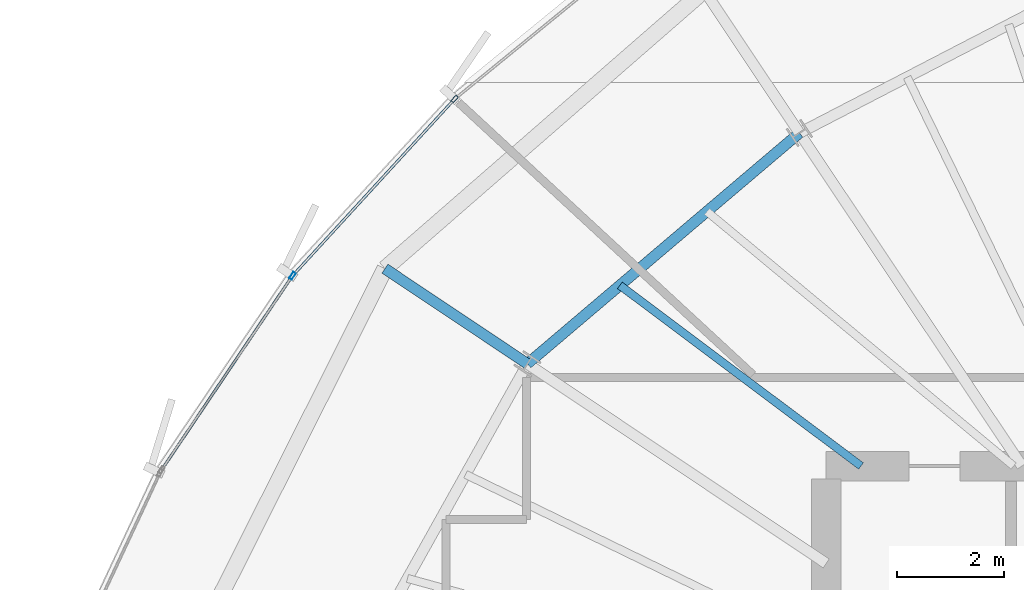
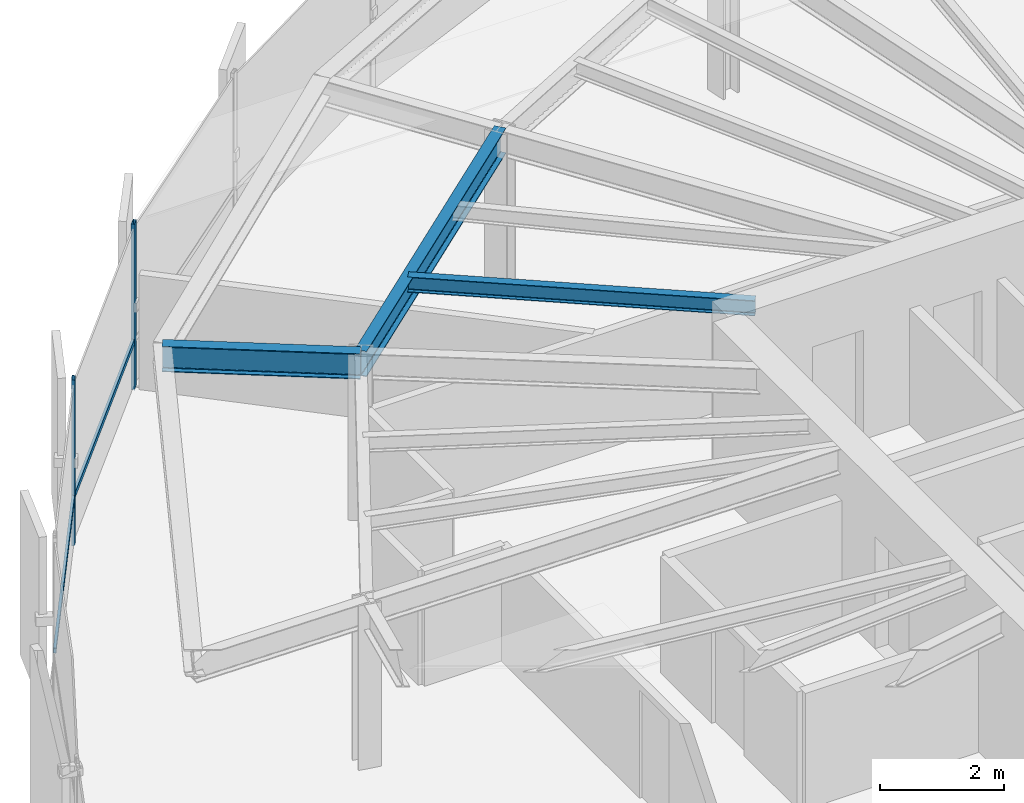
# One storey, part 20 of 36: 4 members, 3 beams, 1 element without a shape of its own.
"""IFC4 building model written with IfcOpenShell, lengths in metres."""

import ifcopenshell
import ifcopenshell.guid

model = None  # the IFC model being written
_history = None  # IfcOwnerHistory: only IFC2X3 demands one
_inside = {}  # id of a spatial element -> (the spatial element, [elements in it])
_under = {}  # id of a project, library or spatial element -> (it, [spatial elements below it])
_declared = {}  # id of a project -> (the project, [libraries it declares])
_typed = {}  # id of a type object -> (the type object, [elements of that type])
_made_of = {}  # id of a material, layer set ... -> (it, [elements and type objects made of it])


def new_model(schema):
    """Start an empty IFC model of exactly this schema.

    Asked for "IFC4X3", IfcOpenShell would pick the latest addendum, in which some entities
    have other attributes; the version numbers below select the first issue.
    IFC2X3 requires an IfcOwnerHistory on every rooted entity: one is made here for all.
    """
    global model, _history
    if schema == "IFC4X3":
        model = ifcopenshell.file(schema_version=(4, 3, 0, 0))
    else:
        model = ifcopenshell.file(schema=schema)
    _inside.clear()
    _under.clear()
    _declared.clear()
    _typed.clear()
    _made_of.clear()
    _history = None
    if model.schema == "IFC2X3":
        org = make("IfcOrganization", Name="unknown")
        user = make(
            "IfcPersonAndOrganization",
            ThePerson=make("IfcPerson", FamilyName="unknown"),
            TheOrganization=org,
        )
        app = make(
            "IfcApplication",
            ApplicationDeveloper=org,
            Version="unknown",
            ApplicationFullName="unknown",
            ApplicationIdentifier="unknown",
        )
        _history = make(
            "IfcOwnerHistory",
            OwningUser=user,
            OwningApplication=app,
            ChangeAction="ADDED",
            CreationDate=0,
        )
    return model


def make(cls, **values):
    """One entity of the class cls with the attributes given. An attribute that is None is left unset."""
    return model.create_entity(
        cls, **{name: value for name, value in values.items() if value is not None}
    )


def rooted(cls, **values):
    """An entity with a GlobalId (a new one), such as an element, a storey or a relation."""
    return make(cls, GlobalId=ifcopenshell.guid.new(), OwnerHistory=_history, **values)


def si_unit(unit_type, name, prefix=None):
    """IfcSIUnit, for example si_unit("LENGTHUNIT", "METRE", prefix="MILLI")."""
    return make("IfcSIUnit", UnitType=unit_type, Prefix=prefix, Name=name)


def assignment(units):
    """IfcUnitAssignment: the units of a project."""
    return None if units is None else make("IfcUnitAssignment", Units=units)


def point(xyz):
    """IfcCartesianPoint."""
    return None if xyz is None else make("IfcCartesianPoint", Coordinates=xyz)


def direction(xyz):
    """IfcDirection."""
    return None if xyz is None else make("IfcDirection", DirectionRatios=xyz)


def frame(location, z_axis=None, x_axis=None):
    """IfcAxis2Placement3D, a coordinate frame: its origin and axes. An axis left out is left unset."""
    return make(
        "IfcAxis2Placement3D",
        Location=point(location),
        Axis=direction(z_axis),
        RefDirection=direction(x_axis),
    )


def frame_2d(location, x_axis=None):
    """IfcAxis2Placement2D, a coordinate frame in the plane: its origin and x axis."""
    return make(
        "IfcAxis2Placement2D", Location=point(location), RefDirection=direction(x_axis)
    )


def origin():
    """The frame at (0, 0, 0) with its axes left unset."""
    return frame((0.0, 0.0, 0.0))


def origin_2d():
    """The frame at (0, 0) in the plane with its x axis left unset."""
    return frame_2d((0.0, 0.0))


def place(relative_to, where):
    """IfcLocalPlacement: puts the frame where relative to a parent placement (None: the world)."""
    return make(
        "IfcLocalPlacement", PlacementRelTo=relative_to, RelativePlacement=where
    )


def context(
    kind, dimensions, precision=None, world=None, true_north=None, identifier=None
):
    """IfcGeometricRepresentationContext, for example the 3D "Model" context."""
    return make(
        "IfcGeometricRepresentationContext",
        ContextIdentifier=identifier,
        ContextType=kind,
        CoordinateSpaceDimension=dimensions,
        Precision=precision,
        WorldCoordinateSystem=world,
        TrueNorth=true_north,
    )


def subcontext(parent, identifier, kind, view, scale=None):
    """IfcGeometricRepresentationSubContext, for example "Body" below "Model"."""
    return make(
        "IfcGeometricRepresentationSubContext",
        ContextIdentifier=identifier,
        ContextType=kind,
        ParentContext=parent,
        TargetScale=scale,
        TargetView=view,
    )


def project(units=None, contexts=None):
    """IfcProject with its units and contexts."""
    return rooted(
        "IfcProject",
        Name="project",
        RepresentationContexts=contexts,
        UnitsInContext=assignment(units),
    )


def spatial(cls, under=None, at=None, **own):
    """A site, building, storey or space (cls), placed at a placement, below another one or the project."""
    s = rooted(cls, ObjectPlacement=at, **own)
    if under is not None:
        _under.setdefault(under.id(), (under, []))[1].append(s)
    return s


def profile(cls, at=None, kind="AREA", **sizes):
    """A parametric profile (cls). Its sizes go by their IFC names, for example OverallWidth=200.0."""
    return make(cls, ProfileType=kind, Position=at, **sizes)


def hollow_rectangle(**sizes):
    """IfcRectangleHollowProfileDef."""
    return profile("IfcRectangleHollowProfileDef", **sizes)


def i_section(**sizes):
    """IfcIShapeProfileDef."""
    return profile("IfcIShapeProfileDef", **sizes)


def extrude(swept, where, along, depth):
    """IfcExtrudedAreaSolid: the profile swept, set in the frame where, extruded along a direction by depth."""
    return make(
        "IfcExtrudedAreaSolid",
        SweptArea=swept,
        Position=where,
        ExtrudedDirection=direction(along),
        Depth=depth,
    )


def shape(context_of_items, identifier, shape_type, items):
    """IfcShapeRepresentation: the items that make up one representation, for example the "Body"."""
    return make(
        "IfcShapeRepresentation",
        ContextOfItems=context_of_items,
        RepresentationIdentifier=identifier,
        RepresentationType=shape_type,
        Items=items,
    )


def source(mapping_origin, context_of_items, identifier, shape_type, items):
    """IfcRepresentationMap: a shape defined once, which mapped items show again and again."""
    return make(
        "IfcRepresentationMap",
        MappingOrigin=mapping_origin,
        MappedRepresentation=shape(context_of_items, identifier, shape_type, items),
    )


def transform(
    local_origin,
    x_axis=None,
    y_axis=None,
    z_axis=None,
    scale=None,
    scale2=None,
    scale3=None,
    uniform=True,
):
    """IfcCartesianTransformationOperator3D, or its non-uniform kind. x_axis, y_axis, z_axis: its Axis1, 2, 3."""
    if uniform:
        return make(
            "IfcCartesianTransformationOperator3D",
            Axis1=direction(x_axis),
            Axis2=direction(y_axis),
            LocalOrigin=point(local_origin),
            Scale=scale,
            Axis3=direction(z_axis),
        )
    return make(
        "IfcCartesianTransformationOperator3DnonUniform",
        Axis1=direction(x_axis),
        Axis2=direction(y_axis),
        LocalOrigin=point(local_origin),
        Scale=scale,
        Axis3=direction(z_axis),
        Scale2=scale2,
        Scale3=scale3,
    )


def mapped(mapping_source, mapping_target):
    """IfcMappedItem: shows the shape of a source again, moved by a transform."""
    return make(
        "IfcMappedItem", MappingSource=mapping_source, MappingTarget=mapping_target
    )


def material(Name=None, Category=None):
    """IfcMaterial."""
    return make("IfcMaterial", Name=Name, Category=Category)


def layer(
    of_material, thickness, ventilated=None, Name=None, Category=None, Priority=None
):
    """IfcMaterialLayer: one layer of a wall or slab, of a material (None: an air gap)."""
    return make(
        "IfcMaterialLayer",
        Material=of_material,
        LayerThickness=thickness,
        IsVentilated=ventilated,
        Name=Name,
        Category=Category,
        Priority=Priority,
    )


def layer_set(layers, Name=None):
    """IfcMaterialLayerSet."""
    return make("IfcMaterialLayerSet", MaterialLayers=layers, LayerSetName=Name)


def material_profile(
    of_material, cross_section, Name=None, Category=None, Priority=None
):
    """IfcMaterialProfile: a cross section and its material."""
    return make(
        "IfcMaterialProfile",
        Name=Name,
        Material=of_material,
        Profile=cross_section,
        Priority=Priority,
        Category=Category,
    )


def profile_set(profiles, Name=None, composite=None):
    """IfcMaterialProfileSet."""
    return make(
        "IfcMaterialProfileSet",
        Name=Name,
        MaterialProfiles=profiles,
        CompositeProfile=composite,
    )


def made_of(thing, what):
    """Note that an element or type object is made of a material, layer set ...; save() writes the relation."""
    if what is not None:
        _made_of.setdefault(what.id(), (what, []))[1].append(thing)
    return thing


def type_object(cls, material=None, **own):
    """A type object (cls), such as IfcWallType, which elements share."""
    return made_of(rooted(cls, **own), material)


def element(
    cls,
    number,
    at=None,
    inside=None,
    cuts=None,
    type_object=None,
    material=None,
    context=None,
    identifier="Body",
    shape_type=None,
    held_by="IfcProductDefinitionShape",
    body=None,
    shapes=None,
    **own,
):
    """One element of the class cls, such as IfcWall. Its Tag is "e" and its number.

    at: its placement. inside: the storey or other place that contains it. cuts: it is an
    opening in that element (IfcRelVoidsElement). A single representation is given by context,
    identifier, shape_type and body (its items); several are given by shapes. held_by: the class
    of the entity that holds the representations. save() writes the other relations.
    """
    e = rooted(cls, Tag="e%d" % number, ObjectPlacement=at, **own)
    if body is not None:
        shapes = [shape(context, identifier, shape_type, body)]
    if shapes is not None:
        e.Representation = make(held_by, Representations=shapes)
    if inside is not None:
        _inside.setdefault(inside.id(), (inside, []))[1].append(e)
    if cuts is not None:
        rooted(
            "IfcRelVoidsElement", RelatingBuildingElement=cuts, RelatedOpeningElement=e
        )
    if type_object is not None:
        _typed.setdefault(type_object.id(), (type_object, []))[1].append(e)
    return made_of(e, material)


def aggregate(whole, parts):
    """IfcRelAggregates: a whole, such as a stair, and the parts it consists of."""
    return rooted("IfcRelAggregates", RelatingObject=whole, RelatedObjects=parts)


def save(model, path):
    """Write the relations noted so far, then the file.

    IfcRelAggregates (storeys below a building ...), IfcRelContainedInSpatialStructure (elements
    in a storey), IfcRelDefinesByType, IfcRelAssociatesMaterial and IfcRelDeclares: one each for
    every whole, place, type object, material and project.
    """
    for whole, parts in _under.values():
        aggregate(whole, parts)
    for where, things in _inside.values():
        rooted(
            "IfcRelContainedInSpatialStructure",
            RelatedElements=things,
            RelatingStructure=where,
        )
    for kind, things in _typed.values():
        rooted("IfcRelDefinesByType", RelatedObjects=things, RelatingType=kind)
    for what, things in _made_of.values():
        rooted("IfcRelAssociatesMaterial", RelatedObjects=things, RelatingMaterial=what)
    for by, libraries in _declared.values():
        rooted("IfcRelDeclares", RelatingContext=by, RelatedDefinitions=libraries)
    model.write(path)


model = new_model("IFC4")

# Units and contexts
model_context = context("Model", 3, precision=1e-05, world=origin(), true_north=direction((0.0, 1.0)))
body_context = subcontext(model_context, "Body", "Model", "MODEL_VIEW")
ifc_project = project(units=[si_unit("LENGTHUNIT", "METRE"), si_unit("AREAUNIT", "SQUARE_METRE"), si_unit("VOLUMEUNIT", "CUBIC_METRE"), si_unit("PLANEANGLEUNIT", "RADIAN"), si_unit("MASSUNIT", "GRAM", prefix="KILO"), si_unit("THERMODYNAMICTEMPERATUREUNIT", "KELVIN")], contexts=[model_context])

# Site, building, storey
site_placement = place(None, origin())
site = spatial("IfcSite", under=ifc_project, at=site_placement, CompositionType="ELEMENT")
building_placement = place(site_placement, origin())
building = spatial("IfcBuilding", under=site, at=building_placement, Name="Kethvar Cultural Tower", CompositionType="ELEMENT")
storey_placement = place(building_placement, frame((0.0, 0.0, 176.39990234375)))
storey = spatial("IfcBuildingStorey", under=building, at=storey_placement, Name="L45", CompositionType="ELEMENT", Elevation=176.39990234375)

# Beams
ifc_material_1 = material(Name="Steel S355J2", Category="steel")
ifc_material_profile_1 = material_profile(ifc_material_1, i_section(OverallWidth=0.199951171875, OverallDepth=0.5, WebThickness=0.01025390625, FlangeThickness=0.01611328125, FilletRadius=0.02099609375, at=origin_2d()), Name="Steel S355J2 — IPE500")
ifc_profile_set_1 = profile_set([ifc_material_profile_1], Name="Steel S355J2 — IPE500")
beam_type_1 = type_object("IfcBeamType", Name="BM-IPE500", PredefinedType="BEAM", material=ifc_profile_set_1)
shared_shape_1 = source(origin(), body_context, "Body", "SweptSolid", [
    extrude(i_section(OverallWidth=0.199951171875, OverallDepth=0.5, WebThickness=0.01025390625, FlangeThickness=0.01611328125, FilletRadius=0.02099609375, at=origin_2d()), origin(), (0.0, 0.0, 1.0), 3.199951171875),
])
beam_1_placement = place(storey_placement, frame((32.418212890625, 37.409423828125, 3.008056640625), z_axis=(-0.831462943996, 0.555580212716, 0.0), x_axis=(-0.555580212716, -0.831462943996, 0.0)))
element("IfcBeam", 1, at=beam_1_placement, inside=storey, type_object=beam_type_1, Name="L45 Perimeter Cantilever Beam RC-07", PredefinedType="BEAM", context=body_context, shape_type="MappedRepresentation", body=[
    mapped(shared_shape_1, transform((0.0, 0.0, 0.0), scale=1.0)),
])
shared_shape_2 = source(origin(), body_context, "Body", "SweptSolid", [
    extrude(i_section(OverallWidth=0.199951171875, OverallDepth=0.5, WebThickness=0.01025390625, FlangeThickness=0.01611328125, FilletRadius=0.02099609375, at=origin_2d()), origin(), (0.0, 0.0, 1.0), 6.6630859375),
])
beam_2_placement = place(storey_placement, frame((37.498779296875, 41.720458984375, 3.008056640625), z_axis=(-0.762490511547, -0.646999397064, 0.0), x_axis=(0.646999397064, -0.762490511547, 0.0)))
element("IfcBeam", 2, at=beam_2_placement, inside=storey, type_object=beam_type_1, Name="L45 Column Ring Tie Beam CR-06", PredefinedType="BEAM", context=body_context, shape_type="MappedRepresentation", body=[
    mapped(shared_shape_2, transform((0.0, 0.0, 0.0), scale=1.0)),
])
ifc_material_profile_2 = material_profile(ifc_material_1, i_section(OverallWidth=0.14990234375, OverallDepth=0.300048828125, WebThickness=0.007080078125, FlangeThickness=0.0107421875, FilletRadius=0.014892578125, at=origin_2d()), Name="Steel S355J2 — IPE300")
ifc_profile_set_2 = profile_set([ifc_material_profile_2], Name="Steel S355J2 — IPE300")
beam_type_2 = type_object("IfcBeamType", Name="BM-J300", PredefinedType="JOIST", material=ifc_profile_set_2)
shared_shape_3 = source(origin(), body_context, "Body", "SweptSolid", [
    extrude(i_section(OverallWidth=0.14990234375, OverallDepth=0.300048828125, WebThickness=0.007080078125, FlangeThickness=0.0107421875, FilletRadius=0.014892578125, at=origin_2d()), origin(), (0.0, 0.0, 1.0), 5.628662109375),
])
beam_3_placement = place(storey_placement, frame((38.64990234375, 35.5, 3.108154296875), z_axis=(-0.800260171956, 0.599652947279, 0.0), x_axis=(-0.599652947279, -0.800260171956, 0.0)))
element("IfcBeam", 3, at=beam_3_placement, inside=storey, type_object=beam_type_2, Name="L45 Composite Floor Joist J-06B", PredefinedType="JOIST", context=body_context, shape_type="MappedRepresentation", body=[
    mapped(shared_shape_3, transform((0.0, 0.0, 0.0), scale=1.0)),
])

# Curtain wall, members
ifc_material_2 = material(Name="Aluminium 6063-T6", Category="aluminium")
ifc_layer = layer(ifc_material_2, 0.179931640625, Name="Aluminium 6063-T6", Category="aluminium")
ifc_layer_set = layer_set([ifc_layer], Name="Aluminium 6063-T6 (180 mm)")
curtain_wall_type = type_object("IfcCurtainWallType", Name="CW-SYS-04-Z34", PredefinedType="NOTDEFINED", material=ifc_layer_set)
curtain_wall_placement = place(storey_placement, origin())
curtain_wall = element("IfcCurtainWall", 4, at=curtain_wall_placement, inside=storey, type_object=curtain_wall_type, Name="L45 Curtain Wall Run 02", PredefinedType="NOTDEFINED")
ifc_material_profile_3 = material_profile(ifc_material_2, hollow_rectangle(XDim=0.06005859375, YDim=0.139892578125, WallThickness=0.0048828125, at=origin_2d()), Name="Aluminium 6063-T6 — RHS140x60x5")
ifc_profile_set_3 = profile_set([ifc_material_profile_3], Name="Aluminium 6063-T6 — RHS140x60x5")
member_type_1 = type_object("IfcMemberType", Name="CW-SYS-04-Z34-MUL", PredefinedType="MULLION", material=ifc_profile_set_3)
shared_shape_4 = source(origin(), body_context, "Body", "SweptSolid", [
    extrude(hollow_rectangle(XDim=0.06005859375, YDim=0.139892578125, WallThickness=0.0048828125, at=origin_2d()), origin(), (0.0, 0.0, 1.0), 3.260009765625),
])
member_1_placement = place(storey_placement, frame((31.0595703125, 42.356689453125, 0.0), z_axis=(0.0, 0.0, 1.0), x_axis=(0.737147619215, -0.675731742251, 0.0)))
member_1 = element("IfcMember", 5, at=member_1_placement, type_object=member_type_1, Name="CW-L45-R02 Mullion 5", PredefinedType="MULLION", context=body_context, shape_type="MappedRepresentation", body=[
    mapped(shared_shape_4, transform((0.0, 0.0, 0.0), scale=1.0)),
])
member_2_placement = place(storey_placement, frame((28.02978515625, 39.05322265625, 0.0), z_axis=(0.0, 0.0, 1.0), x_axis=(0.829242471769, -0.558889007777, 0.0)))
member_2 = element("IfcMember", 6, at=member_2_placement, type_object=member_type_1, Name="CW-L45-R02 Mullion 6", PredefinedType="MULLION", context=body_context, shape_type="MappedRepresentation", body=[
    mapped(shared_shape_4, transform((0.0, 0.0, 0.0), scale=1.0)),
])
ifc_material_profile_4 = material_profile(ifc_material_2, hollow_rectangle(XDim=0.050048828125, YDim=0.10009765625, WallThickness=0.00390625, at=origin_2d()), Name="Aluminium 6063-T6 — RHS100x50x4")
ifc_profile_set_4 = profile_set([ifc_material_profile_4], Name="Aluminium 6063-T6 — RHS100x50x4")
member_type_2 = type_object("IfcMemberType", Name="CW-SYS-04-Z34-TRN", PredefinedType="USERDEFINED", material=ifc_profile_set_4)
shared_shape_5 = source(origin(), body_context, "Body", "SweptSolid", [
    extrude(hollow_rectangle(XDim=0.050048828125, YDim=0.10009765625, WallThickness=0.00390625, at=origin_2d()), origin(), (0.0, 0.0, 1.0), 4.412109375),
])
member_3_placement = place(storey_placement, frame((31.030517578125, 42.32470703125, 0.9501953125), z_axis=(-0.675729639815, -0.73714954648, 0.0), x_axis=(0.73714954648, -0.675729639815, 0.0)))
member_3 = element("IfcMember", 7, at=member_3_placement, type_object=member_type_2, Name="CW-L45-R02 Transom 5", ObjectType="TRANSOM", PredefinedType="USERDEFINED", context=body_context, shape_type="MappedRepresentation", body=[
    mapped(shared_shape_5, transform((0.0, 0.0, 0.0), scale=1.0)),
])
shared_shape_6 = source(origin(), body_context, "Body", "SweptSolid", [
    extrude(hollow_rectangle(XDim=0.050048828125, YDim=0.10009765625, WallThickness=0.00390625, at=origin_2d()), origin(), (0.0, 0.0, 1.0), 4.327392578125),
])
member_4_placement = place(storey_placement, frame((28.005859375, 39.017578125, 0.9501953125), z_axis=(-0.558885512424, -0.82924482754, 0.0), x_axis=(0.82924482754, -0.558885512424, 0.0)))
member_4 = element("IfcMember", 8, at=member_4_placement, type_object=member_type_2, Name="CW-L45-R02 Transom 6", ObjectType="TRANSOM", PredefinedType="USERDEFINED", context=body_context, shape_type="MappedRepresentation", body=[
    mapped(shared_shape_6, transform((0.0, 0.0, 0.0), scale=1.0)),
])
aggregate(curtain_wall, [member_1, member_2, member_3, member_4])

save(model, "model.ifc")
